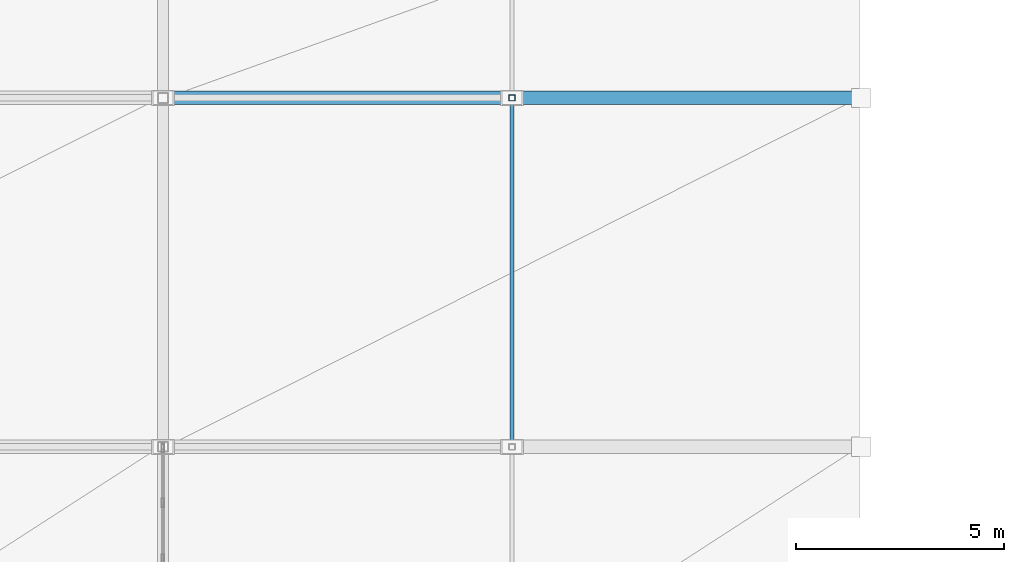
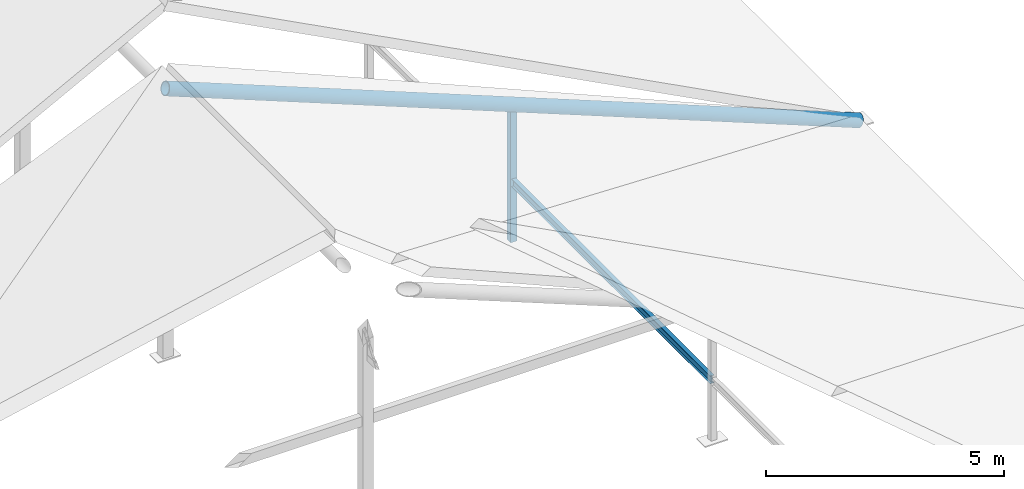
# One storey, part 36 of 76: 3 members.
"""IFC4 building model written with IfcOpenShell, lengths in metres."""

from ifc_helpers import new_model, si_unit, direction, frame, origin, origin_2d, place, context, subcontext, project, spatial, hollow_rectangle, hollow_circle, i_section, extrude, material, material_profile, profile_set, type_object, element, save


model = new_model("IFC4")

# Units and contexts
model_context = context("Model", 3, precision=1e-05, world=origin(), true_north=direction((0.0, 1.0)))
body_context = subcontext(model_context, "Body", "Model", "MODEL_VIEW")
ifc_project = project(units=[si_unit("LENGTHUNIT", "METRE"), si_unit("AREAUNIT", "SQUARE_METRE"), si_unit("VOLUMEUNIT", "CUBIC_METRE"), si_unit("PLANEANGLEUNIT", "RADIAN"), si_unit("MASSUNIT", "GRAM", prefix="KILO")], contexts=[model_context])

# Site, building, storey
site_placement = place(None, origin())
site = spatial("IfcSite", under=ifc_project, at=site_placement, CompositionType="ELEMENT")
building_placement = place(site_placement, origin())
building = spatial("IfcBuilding", under=site, at=building_placement, Name="Krzemoval Escarpment Law Courts", CompositionType="ELEMENT")
storey_placement = place(building_placement, frame((0.0, 0.0, 20.39990234375)))
storey = spatial("IfcBuildingStorey", under=building, at=storey_placement, Name="L04", CompositionType="ELEMENT", Elevation=20.39990234375)

# Members
ifc_material_1 = material(Name="Steel S355", Category="steel")
ifc_material_profile_1 = material_profile(ifc_material_1, hollow_circle(Radius=0.161865234375, WallThickness=0.01611328125, at=origin_2d()), Name="CHS 323.9x16")
ifc_profile_set_1 = profile_set([ifc_material_profile_1], Name="Steel S355")
member_type_1 = type_object("IfcMemberType", Name="MBR-CHD-CHS324", PredefinedType="CHORD", material=ifc_profile_set_1)
member_1_placement = place(storey_placement, frame((25.199951171875, 93.60009765625, 6.550048828125), z_axis=(0.928858805287, 0.0, -0.370433961511), x_axis=(0.0, 1.0, 0.0)))
element("IfcMember", 1, at=member_1_placement, inside=storey, type_object=member_type_1, Name="Roof Rafter Chord TC-0047", PredefinedType="CHORD", context=body_context, shape_type="SweptSolid", body=[
    extrude(hollow_circle(Radius=0.161865234375, WallThickness=0.01611328125, at=origin_2d()), origin(), (0.0, 0.0, 1.0), 18.086669921875),
])
ifc_material_2 = material(Name="Steel S355", Category="steel")
ifc_material_profile_2 = material_profile(ifc_material_2, i_section(OverallWidth=0.10009765625, OverallDepth=0.199951171875, WebThickness=0.005615234375, FlangeThickness=0.008544921875, at=origin_2d()), Name="IPE 200")
ifc_profile_set_2 = profile_set([ifc_material_profile_2], Name="Steel S355")
member_type_2 = type_object("IfcMemberType", Name="MBR-PUR-IPE200", PredefinedType="PURLIN", material=ifc_profile_set_2)
member_2_placement = place(storey_placement, frame((33.60009765625, 85.199951171875, 1.25), z_axis=(0.0, 1.0, 0.0), x_axis=(-1.0, 0.0, 0.0)))
element("IfcMember", 2, at=member_2_placement, inside=storey, type_object=member_type_2, Name="Roof Purlin PR-0075", PredefinedType="PURLIN", context=body_context, shape_type="SweptSolid", body=[
    extrude(i_section(OverallWidth=0.10009765625, OverallDepth=0.199951171875, WebThickness=0.005615234375, FlangeThickness=0.008544921875, at=origin_2d()), origin(), (0.0, 0.0, 1.0), 8.400146484375),
])
ifc_material_3 = material(Name="Steel S355", Category="steel")
ifc_material_profile_3 = material_profile(ifc_material_3, hollow_rectangle(XDim=0.14990234375, YDim=0.14990234375, WallThickness=0.008056640625, at=origin_2d()), Name="SHS 150x150x8")
ifc_profile_set_3 = profile_set([ifc_material_profile_3], Name="Steel S355")
member_type_3 = type_object("IfcMemberType", Name="MBR-STR-SHS150", PredefinedType="STRUT", material=ifc_profile_set_3)
member_3_placement = place(storey_placement, frame((33.60009765625, 93.60009765625, -0.27978515625), z_axis=(0.0, 0.0, 1.0), x_axis=(1.0, 0.0, 0.0)))
element("IfcMember", 3, at=member_3_placement, inside=storey, type_object=member_type_3, Name="Roof Truss Web Strut ST-0045", PredefinedType="STRUT", context=body_context, shape_type="SweptSolid", body=[
    extrude(hollow_rectangle(XDim=0.14990234375, YDim=0.14990234375, WallThickness=0.008056640625, at=origin_2d()), origin(), (0.0, 0.0, 1.0), 3.47998046875),
])

save(model, "model.ifc")
